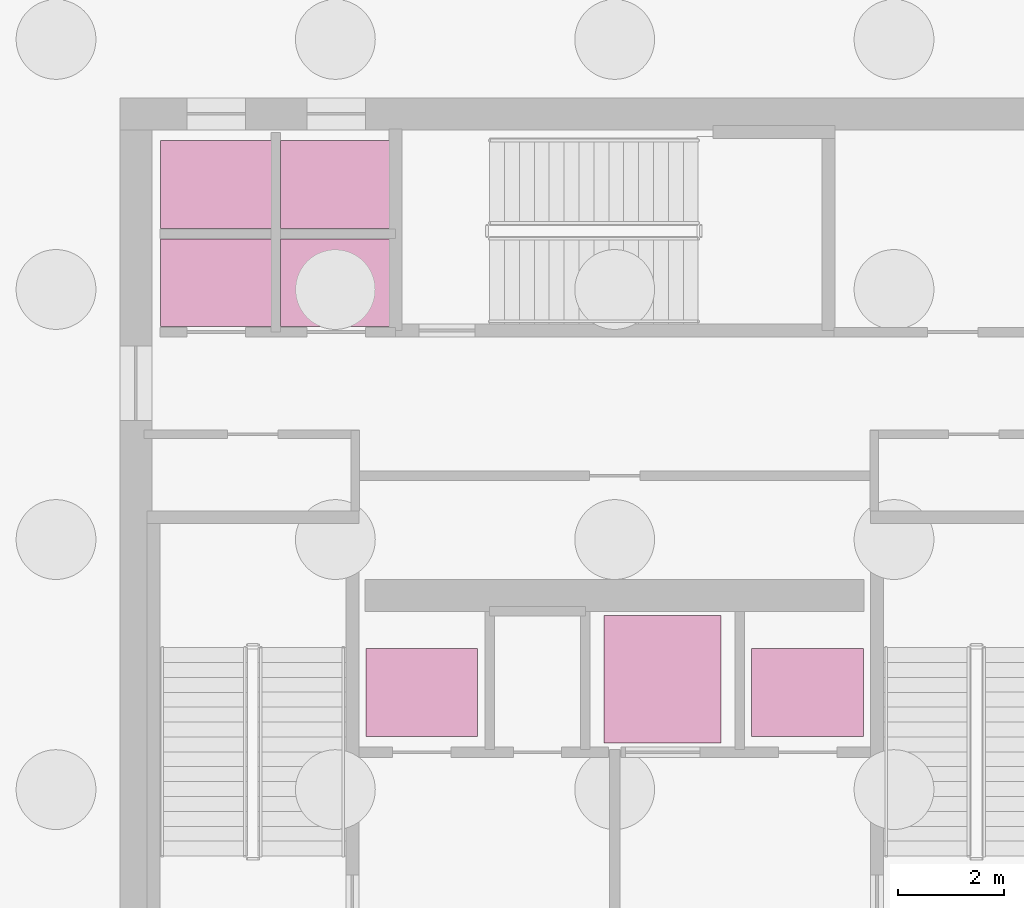
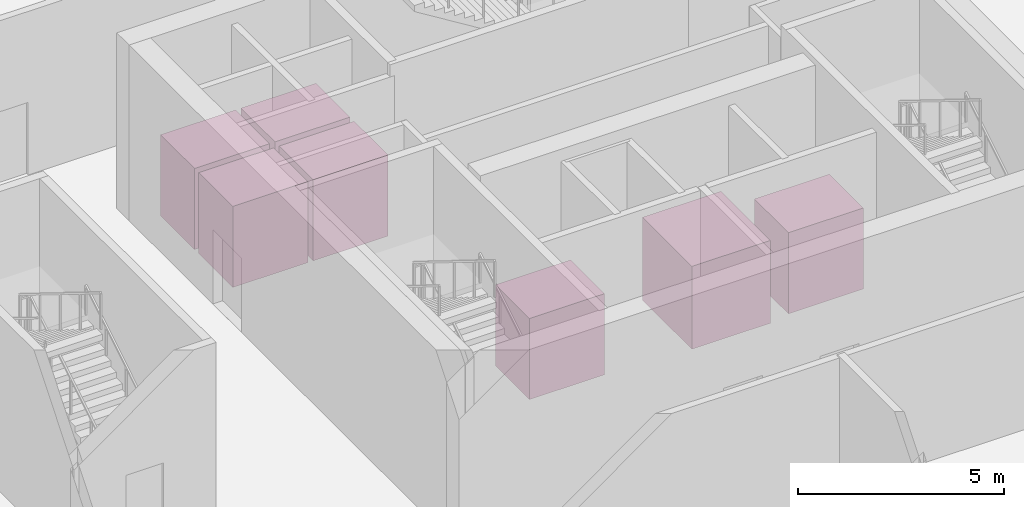
# One storey, part 8 of 8: 7 transport elements.
"""IFC4 building model written with IfcOpenShell, lengths in metres."""

from ifc_helpers import new_model, si_unit, direction, frame, origin, origin_2d, place, context, subcontext, project, spatial, rectangle, extrude, material, type_object, element, save


model = new_model("IFC4")

# Units and contexts
model_context = context("Model", 3, precision=1e-05, world=origin(), true_north=direction((0.0, 1.0)))
body_context = subcontext(model_context, "Body", "Model", "MODEL_VIEW")
ifc_project = project(units=[si_unit("LENGTHUNIT", "METRE"), si_unit("AREAUNIT", "SQUARE_METRE"), si_unit("VOLUMEUNIT", "CUBIC_METRE"), si_unit("PLANEANGLEUNIT", "RADIAN"), si_unit("MASSUNIT", "GRAM", prefix="KILO")], contexts=[model_context])

# Site, building, storey
site_placement = place(None, origin())
site = spatial("IfcSite", under=ifc_project, at=site_placement, CompositionType="ELEMENT")
building_placement = place(site_placement, origin())
building = spatial("IfcBuilding", under=site, at=building_placement, Name="Haldenkirk Collegiate Tower", CompositionType="ELEMENT")
storey_placement = place(building_placement, frame((0.0, 0.0, -5.199951171875)))
storey = spatial("IfcBuildingStorey", under=building, at=storey_placement, Name="B1", CompositionType="ELEMENT", Elevation=-5.199951171875)

# Transport elements
ifc_material = material(Name="Brushed architectural stainless steel", Category="steel")
transport_element_type_1 = type_object("IfcTransportElementType", Name="LFT-FIRE-2000", PredefinedType="ELEVATOR", material=ifc_material)
for number, where, z_axis, x_axis, name in (
    (1, (32.375, 23.125, 0.0), (0.0, 0.0, 1.0), (1.0, 0.0, 0.0), "Elevator FL1"),
    (2, (39.625, 23.125, 0.0), (0.0, 0.0, 1.0), (1.0, 0.0, 0.0), "Elevator FL2"),
):
    element("IfcTransportElement", number, at=place(storey_placement, frame(where, z_axis=z_axis, x_axis=x_axis)), inside=storey, type_object=transport_element_type_1, Name=name, PredefinedType="ELEVATOR", context=body_context, shape_type="SweptSolid", body=[
        extrude(rectangle(XDim=2.10009765625, YDim=1.64990234375, at=origin_2d()), origin(), (0.0, 0.0, 1.0), 2.39990234375),
    ])
transport_element_type_2 = type_object("IfcTransportElementType", Name="LFT-GOODS-2500", PredefinedType="ELEVATOR", material=ifc_material)
transport_element_placement = place(storey_placement, frame((36.89990234375, 23.375, 0.0), z_axis=(0.0, 0.0, 1.0), x_axis=(1.0, 0.0, 0.0)))
element("IfcTransportElement", 3, at=transport_element_placement, inside=storey, type_object=transport_element_type_2, Name="Elevator GL1", PredefinedType="ELEVATOR", context=body_context, shape_type="SweptSolid", body=[
    extrude(rectangle(XDim=2.199951171875, YDim=2.39990234375, at=origin_2d()), origin(), (0.0, 0.0, 1.0), 2.449951171875),
])
transport_element_type_3 = type_object("IfcTransportElementType", Name="LFT-PASS-1800", PredefinedType="ELEVATOR", material=ifc_material)
for number, where, z_axis, x_axis, name in (
    (4, (28.514892578125, 30.824951171875, 0.0), (0.0, 0.0, 1.0), (1.0, 0.0, 0.0), "Elevator PL1"),
    (5, (30.764892578125, 30.824951171875, 0.0), (0.0, 0.0, 1.0), (1.0, 0.0, 0.0), "Elevator PL2"),
    (6, (28.514892578125, 32.675048828125, 0.0), (0.0, 0.0, 1.0), (1.0, 0.0, 0.0), "Elevator PL3"),
    (7, (30.764892578125, 32.675048828125, 0.0), (0.0, 0.0, 1.0), (1.0, 0.0, 0.0), "Elevator PL4"),
):
    element("IfcTransportElement", number, at=place(storey_placement, frame(where, z_axis=z_axis, x_axis=x_axis)), inside=storey, type_object=transport_element_type_3, Name=name, PredefinedType="ELEVATOR", context=body_context, shape_type="SweptSolid", body=[
        extrude(rectangle(XDim=2.10009765625, YDim=1.64990234375, at=origin_2d()), origin(), (0.0, 0.0, 1.0), 2.39990234375),
    ])

save(model, "model.ifc")
